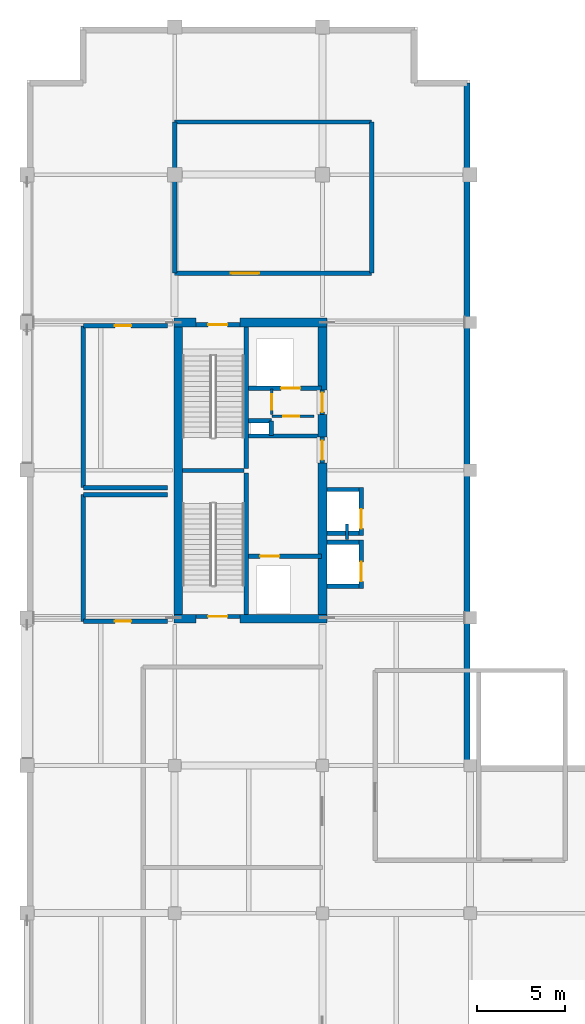
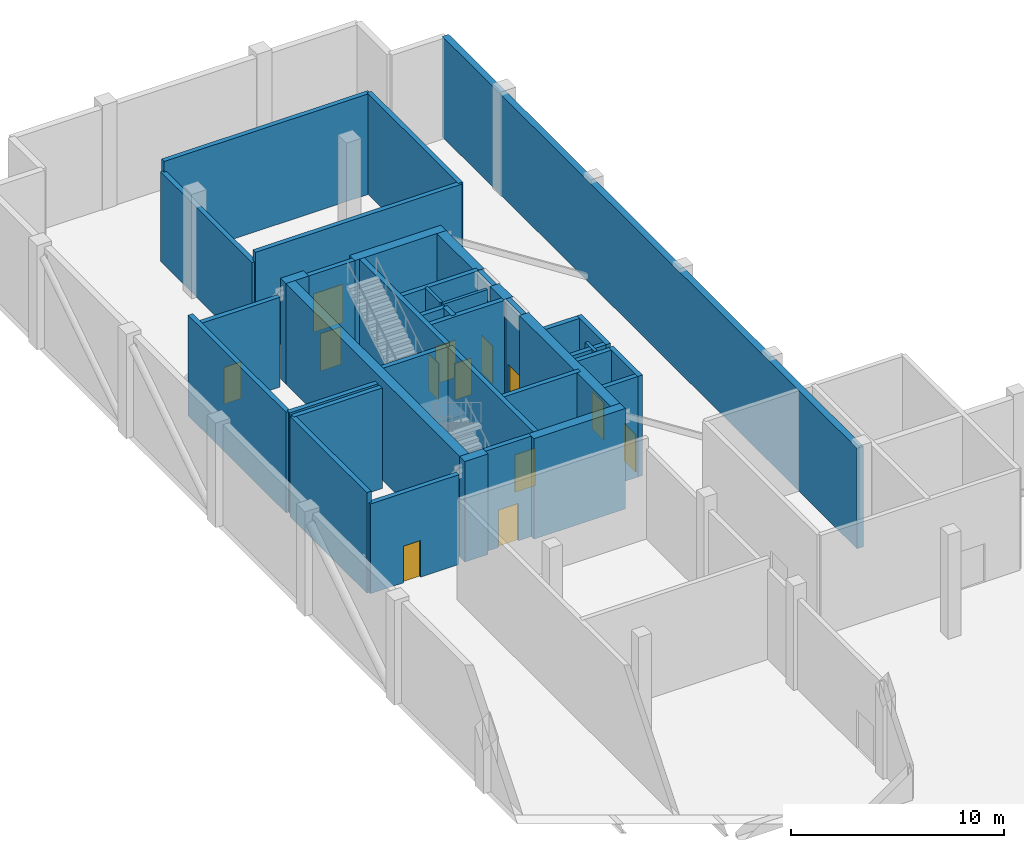
# One storey, part 11 of 14: 40 walls, 13 doors, 13 openings.
"""IFC4 building model written with IfcOpenShell, lengths in metres."""

from ifc_helpers import new_model, si_unit, direction, frame, frame_2d, origin, place, context, subcontext, project, spatial, rectangle, extrude, material, layer, layer_set, type_object, element, fill, save


model = new_model("IFC4")

# Units and contexts
model_context = context("Model", 3, precision=1e-05, world=origin(), true_north=direction((0.0, 1.0)))
body_context = subcontext(model_context, "Body", "Model", "MODEL_VIEW")
ifc_project = project(units=[si_unit("LENGTHUNIT", "METRE"), si_unit("AREAUNIT", "SQUARE_METRE"), si_unit("VOLUMEUNIT", "CUBIC_METRE"), si_unit("PLANEANGLEUNIT", "RADIAN"), si_unit("MASSUNIT", "GRAM", prefix="KILO")], contexts=[model_context])

# Site, building, storey
site_placement = place(None, origin())
site = spatial("IfcSite", under=ifc_project, at=site_placement, CompositionType="ELEMENT")
building_placement = place(site_placement, origin())
building = spatial("IfcBuilding", under=site, at=building_placement, Name="Koriwani Terraces Tower", CompositionType="ELEMENT")
storey_placement = place(building_placement, frame((0.0, 0.0, 294.800048828125)))
storey = spatial("IfcBuildingStorey", under=building, at=storey_placement, Name="L73", CompositionType="ELEMENT", Elevation=294.800048828125)

# Walls
ifc_material_1 = material(Name="Concrete C50/60", Category="concrete")
ifc_layer_1 = layer(ifc_material_1, 0.5, Name="Concrete C50/60")
ifc_layer_set_1 = layer_set([ifc_layer_1], Name="Concrete C50/60")
wall_type_1 = type_object("IfcWallType", Name="WALL_CORE_RC_500", PredefinedType="SHEAR", material=ifc_layer_set_1)
wall_1_placement = place(storey_placement, frame((16.75, 41.949951171875, 0.0), z_axis=(0.0, 0.0, 1.0), x_axis=(1.0, 0.0, 0.0)))
element("IfcWall", 1, at=wall_1_placement, inside=storey, type_object=wall_type_1, Name="L73 West Split Core Shear Wall S1", PredefinedType="SHEAR", context=body_context, shape_type="SweptSolid", body=[
    extrude(rectangle(XDim=1.25, YDim=0.5, at=frame_2d((0.625, 0.0))), origin(), (0.0, 0.0, 1.0), 5.77001953125),
])
wall_2_placement = place(storey_placement, frame((20.5, 41.949951171875, 0.0), z_axis=(0.0, 0.0, 1.0), x_axis=(1.0, 0.0, 0.0)))
element("IfcWall", 2, at=wall_2_placement, inside=storey, type_object=wall_type_1, Name="L73 West Split Core Shear Wall S2", PredefinedType="SHEAR", context=body_context, shape_type="SweptSolid", body=[
    extrude(rectangle(XDim=4.949951171875, YDim=0.5, at=frame_2d((2.47509765625, 0.0))), origin(), (0.0, 0.0, 1.0), 5.77001953125),
])
wall_3_placement = place(storey_placement, frame((16.75, 58.800048828125, 0.0), z_axis=(0.0, 0.0, 1.0), x_axis=(1.0, 0.0, 0.0)))
element("IfcWall", 3, at=wall_3_placement, inside=storey, type_object=wall_type_1, Name="L73 West Split Core Shear Wall N1", PredefinedType="SHEAR", context=body_context, shape_type="SweptSolid", body=[
    extrude(rectangle(XDim=1.25, YDim=0.5, at=frame_2d((0.625, 0.0))), origin(), (0.0, 0.0, 1.0), 5.77001953125),
])
wall_4_placement = place(storey_placement, frame((20.5, 58.800048828125, 0.0), z_axis=(0.0, 0.0, 1.0), x_axis=(1.0, 0.0, 0.0)))
element("IfcWall", 4, at=wall_4_placement, inside=storey, type_object=wall_type_1, Name="L73 West Split Core Shear Wall N2", PredefinedType="SHEAR", context=body_context, shape_type="SweptSolid", body=[
    extrude(rectangle(XDim=4.949951171875, YDim=0.5, at=frame_2d((2.47509765625, 0.0))), origin(), (0.0, 0.0, 1.0), 5.77001953125),
])
wall_5_placement = place(storey_placement, frame((17.0, 42.199951171875, 0.0), z_axis=(0.0, 0.0, 1.0), x_axis=(0.0, 1.0, 0.0)))
element("IfcWall", 5, at=wall_5_placement, inside=storey, type_object=wall_type_1, Name="L73 West Split Core Shear Wall W1", PredefinedType="SHEAR", context=body_context, shape_type="SweptSolid", body=[
    extrude(rectangle(XDim=16.35009765625, YDim=0.5, at=frame_2d((8.175048828125, 0.0))), origin(), (0.0, 0.0, 1.0), 5.77001953125),
])
wall_6_placement = place(storey_placement, frame((25.199951171875, 42.199951171875, 0.0), z_axis=(0.0, 0.0, 1.0), x_axis=(0.0, 1.0, 0.0)))
element("IfcWall", 6, at=wall_6_placement, inside=storey, type_object=wall_type_1, Name="L73 West Split Core Shear Wall E1", PredefinedType="SHEAR", context=body_context, shape_type="SweptSolid", body=[
    extrude(rectangle(XDim=8.60009765625, YDim=0.5, at=frame_2d((4.300048828125, 0.0))), origin(), (0.0, 0.0, 1.0), 5.77001953125),
])
wall_7_placement = place(storey_placement, frame((25.199951171875, 52.280029296875, 0.0), z_axis=(0.0, 0.0, 1.0), x_axis=(0.0, 1.0, 0.0)))
element("IfcWall", 7, at=wall_7_placement, inside=storey, type_object=wall_type_1, Name="L73 West Split Core Shear Wall E2", PredefinedType="SHEAR", context=body_context, shape_type="SweptSolid", body=[
    extrude(rectangle(XDim=1.27001953125, YDim=0.5, at=frame_2d((0.635009765625, 0.0))), origin(), (0.0, 0.0, 1.0), 5.77001953125),
])
wall_8_placement = place(storey_placement, frame((25.199951171875, 54.949951171875, 0.0), z_axis=(0.0, 0.0, 1.0), x_axis=(0.0, 1.0, 0.0)))
element("IfcWall", 8, at=wall_8_placement, inside=storey, type_object=wall_type_1, Name="L73 West Split Core Shear Wall E3", PredefinedType="SHEAR", context=body_context, shape_type="SweptSolid", body=[
    extrude(rectangle(XDim=3.60009765625, YDim=0.5, at=frame_2d((1.800048828125, 0.0))), origin(), (0.0, 0.0, 1.0), 5.77001953125),
])
ifc_layer_2 = layer(ifc_material_1, 0.35009765625, Name="Concrete C50/60")
ifc_layer_set_2 = layer_set([ifc_layer_2], Name="Concrete C50/60")
wall_type_2 = type_object("IfcWallType", Name="WALL_EXT_BRUTALIST_350", PredefinedType="STANDARD", material=ifc_layer_set_2)
wall_9_placement = place(storey_placement, frame((33.425048828125, 72.425048828125, 0.0), z_axis=(0.0, 0.0, 1.0), x_axis=(0.0, -1.0, 0.0)))
element("IfcWall", 9, at=wall_9_placement, inside=storey, type_object=wall_type_2, Name="L73 Fair-Faced Brutalist Exterior Wall (NW_IN)", PredefinedType="STANDARD", context=body_context, shape_type="SweptSolid", body=[
    extrude(rectangle(XDim=39.0, YDim=0.35009765625, at=frame_2d((19.5, 0.0))), origin(), (0.0, 0.0, 1.0), 5.77001953125),
])
ifc_material_2 = material(Name="Concrete C40/50", Category="concrete")
ifc_layer_3 = layer(ifc_material_2, 0.25, Name="Concrete C40/50")
ifc_layer_set_3 = layer_set([ifc_layer_3], Name="Concrete C40/50")
wall_type_3 = type_object("IfcWallType", Name="WALL_SHAFT_RATED_250", PredefinedType="SOLIDWALL", material=ifc_layer_set_3)
for number, where, z_axis, x_axis, name in (
    (10, (20.875, 42.199951171875, 0.0), (0.0, 0.0, 1.0), (0.0, 1.0, 0.0), "L73 West Split Core Web Wall MID1"),
    (11, (20.875, 50.5, 0.0), (0.0, 0.0, 1.0), (0.0, 1.0, 0.0), "L73 West Split Core Web Wall MID2"),
):
    element("IfcWall", number, at=place(storey_placement, frame(where, z_axis=z_axis, x_axis=x_axis)), inside=storey, type_object=wall_type_3, Name=name, PredefinedType="SOLIDWALL", context=body_context, shape_type="SweptSolid", body=[
        extrude(rectangle(XDim=8.050048828125, YDim=0.25, at=frame_2d((4.02490234375, 0.0))), origin(), (0.0, 0.0, 1.0), 5.77001953125),
    ])
wall_10_placement = place(storey_placement, frame((17.25, 50.375, 0.0), z_axis=(0.0, 0.0, 1.0), x_axis=(1.0, 0.0, 0.0)))
element("IfcWall", 12, at=wall_10_placement, inside=storey, type_object=wall_type_3, Name="L73 West Split Core Stair Dividing Wall", PredefinedType="SOLIDWALL", context=body_context, shape_type="SweptSolid", body=[
    extrude(rectangle(XDim=3.5, YDim=0.25, at=frame_2d((1.75, 0.0))), origin(), (0.0, 0.0, 1.0), 5.77001953125),
])

# Wall, opening, door
wall_11_placement = place(storey_placement, frame((18.0, 42.074951171875, 0.0), z_axis=(0.0, 0.0, 1.0), x_axis=(1.0, 0.0, 0.0)))
wall_11 = element("IfcWall", 13, at=wall_11_placement, inside=storey, type_object=wall_type_3, Name="L73 Interior Wall WIN-CW-L73-STS", PredefinedType="SOLIDWALL", context=body_context, shape_type="SweptSolid", body=[
    extrude(rectangle(XDim=2.5, YDim=0.25, at=frame_2d((1.25, 0.0))), origin(), (0.0, 0.0, 1.0), 5.77001953125),
])
opening_1_placement = place(wall_11_placement, frame((0.699951171875, 0.0, 0.0)))
opening_1 = element("IfcOpeningElement", 14, at=opening_1_placement, cuts=wall_11, Name="Opening D-03", PredefinedType="OPENING", context=body_context, shape_type="SweptSolid", body=[
    extrude(rectangle(XDim=1.10009765625, YDim=2.14990234375, at=frame_2d((0.550048828125, 1.074951171875))), frame((0.0, 0.135009765625, 0.0), z_axis=(0.0, -1.0, 0.0), x_axis=(1.0, 0.0, 0.0)), (0.0, 0.0, 1.0), 0.27001953125),
])
ifc_material_3 = material(Name="Steel ASTM A572 Grade 50", Category="steel")
door_type_1 = type_object("IfcDoorType", Name="DOOR_STAIR_FIRE_1100X2150", OperationType="NOTDEFINED", PredefinedType="DOOR", material=ifc_material_3)
door_1_placement = place(opening_1_placement, origin())
door_1 = element("IfcDoor", 15, at=door_1_placement, inside=storey, type_object=door_type_1, Name="L73 Exit Stair ST-W1 Door", OperationType="SINGLE_SWING_LEFT", OverallHeight=2.14990234375, OverallWidth=1.10009765625, PredefinedType="DOOR", context=body_context, shape_type="SweptSolid", body=[
    extrude(rectangle(XDim=1.10009765625, YDim=2.14990234375, at=frame_2d((0.550048828125, 1.074951171875))), frame((0.0, 0.02490234375, 0.0), z_axis=(0.0, -1.0, 0.0), x_axis=(1.0, 0.0, 0.0)), (0.0, 0.0, 1.0), 0.050048828125),
])
fill(opening_1, door_1)

wall_12_placement = place(storey_placement, frame((18.0, 58.675048828125, 0.0), z_axis=(0.0, 0.0, 1.0), x_axis=(1.0, 0.0, 0.0)))
wall_12 = element("IfcWall", 16, at=wall_12_placement, inside=storey, type_object=wall_type_3, Name="L73 Interior Wall WIN-CW-L73-STN", PredefinedType="SOLIDWALL", context=body_context, shape_type="SweptSolid", body=[
    extrude(rectangle(XDim=2.5, YDim=0.25, at=frame_2d((1.25, 0.0))), origin(), (0.0, 0.0, 1.0), 5.77001953125),
])
opening_2_placement = place(wall_12_placement, frame((0.699951171875, 0.0, 0.0)))
opening_2 = element("IfcOpeningElement", 17, at=opening_2_placement, cuts=wall_12, Name="Opening D-03", PredefinedType="OPENING", context=body_context, shape_type="SweptSolid", body=[
    extrude(rectangle(XDim=1.10009765625, YDim=2.14990234375, at=frame_2d((0.550048828125, 1.074951171875))), frame((0.0, 0.135009765625, 0.0), z_axis=(0.0, -1.0, 0.0), x_axis=(1.0, 0.0, 0.0)), (0.0, 0.0, 1.0), 0.27001953125),
])
door_2_placement = place(opening_2_placement, origin())
door_2 = element("IfcDoor", 18, at=door_2_placement, inside=storey, type_object=door_type_1, Name="L73 Exit Stair ST-W2 Door", OperationType="SINGLE_SWING_RIGHT", OverallHeight=2.14990234375, OverallWidth=1.10009765625, PredefinedType="DOOR", context=body_context, shape_type="SweptSolid", body=[
    extrude(rectangle(XDim=1.10009765625, YDim=2.14990234375, at=frame_2d((0.550048828125, 1.074951171875))), frame((0.0, 0.02490234375, 0.0), z_axis=(0.0, -1.0, 0.0), x_axis=(1.0, 0.0, 0.0)), (0.0, 0.0, 1.0), 0.050048828125),
])
fill(opening_2, door_2)

wall_13_placement = place(storey_placement, frame((21.0, 45.5, 0.0), z_axis=(0.0, 0.0, 1.0), x_axis=(1.0, 0.0, 0.0)))
wall_13 = element("IfcWall", 19, at=wall_13_placement, inside=storey, type_object=wall_type_3, Name="L73 Interior Wall WIN-CW-L73-FE", PredefinedType="SOLIDWALL", context=body_context, shape_type="SweptSolid", body=[
    extrude(rectangle(XDim=4.14990234375, YDim=0.25, at=frame_2d((2.074951171875, 0.0))), origin(), (0.0, 0.0, 1.0), 5.77001953125),
])
opening_3_placement = place(wall_13_placement, frame((0.64990234375, 0.0, 0.0)))
opening_3 = element("IfcOpeningElement", 20, at=opening_3_placement, cuts=wall_13, Name="Opening LD-01", PredefinedType="OPENING", context=body_context, shape_type="SweptSolid", body=[
    extrude(rectangle(XDim=1.10009765625, YDim=2.14990234375, at=frame_2d((0.550048828125, 1.074951171875))), frame((0.0, 0.135009765625, 0.0), z_axis=(0.0, -1.0, 0.0), x_axis=(1.0, 0.0, 0.0)), (0.0, 0.0, 1.0), 0.27001953125),
])
door_type_2 = type_object("IfcDoorType", Name="DOOR_LIFT_LANDING_1100X2200", OperationType="NOTDEFINED", PredefinedType="DOOR", material=ifc_material_3)
door_3_placement = place(opening_3_placement, origin())
door_3 = element("IfcDoor", 21, at=door_3_placement, inside=storey, type_object=door_type_2, Name="L73 Firefighting Lift FE-01 Landing Door", OperationType="SLIDING_TO_LEFT", OverallHeight=2.14990234375, OverallWidth=1.10009765625, PredefinedType="DOOR", context=body_context, shape_type="SweptSolid", body=[
    extrude(rectangle(XDim=1.10009765625, YDim=2.14990234375, at=frame_2d((0.550048828125, 1.074951171875))), frame((0.0, 0.02490234375, 0.0), z_axis=(0.0, -1.0, 0.0), x_axis=(1.0, 0.0, 0.0)), (0.0, 0.0, 1.0), 0.050048828125),
])
fill(opening_3, door_3)

wall_14_placement = place(storey_placement, frame((25.199951171875, 50.800048828125, 0.0), z_axis=(0.0, 0.0, 1.0), x_axis=(0.0, 1.0, 0.0)))
wall_14 = element("IfcWall", 22, at=wall_14_placement, inside=storey, type_object=wall_type_3, Name="L73 Interior Wall WIN-CW-L73-EP", PredefinedType="SOLIDWALL", context=body_context, shape_type="SweptSolid", body=[
    extrude(rectangle(XDim=1.47998046875, YDim=0.25, at=frame_2d((0.739990234375, 0.0))), origin(), (0.0, 0.0, 1.0), 5.77001953125),
])
opening_4_placement = place(wall_14_placement, frame((0.179931640625, 0.0, 0.0)))
opening_4 = element("IfcOpeningElement", 23, at=opening_4_placement, cuts=wall_14, Name="Opening D-03", PredefinedType="OPENING", context=body_context, shape_type="SweptSolid", body=[
    extrude(rectangle(XDim=1.10009765625, YDim=2.14990234375, at=frame_2d((0.550048828125, 1.074951171875))), frame((0.0, 0.135009765625, 0.0), z_axis=(0.0, -1.0, 0.0), x_axis=(1.0, 0.0, 0.0)), (0.0, 0.0, 1.0), 0.27001953125),
])
door_4_placement = place(opening_4_placement, origin())
door_4 = element("IfcDoor", 24, at=door_4_placement, inside=storey, type_object=door_type_1, Name="L73 West Firefighting Lobby Door", OperationType="SINGLE_SWING_LEFT", OverallHeight=2.14990234375, OverallWidth=1.10009765625, PredefinedType="DOOR", context=body_context, shape_type="SweptSolid", body=[
    extrude(rectangle(XDim=1.10009765625, YDim=2.14990234375, at=frame_2d((0.550048828125, 1.074951171875))), frame((0.0, 0.02490234375, 0.0), z_axis=(0.0, -1.0, 0.0), x_axis=(1.0, 0.0, 0.0)), (0.0, 0.0, 1.0), 0.050048828125),
])
fill(opening_4, door_4)

# Wall
wall_15_placement = place(storey_placement, frame((21.0, 52.340087890625, 0.0), z_axis=(0.0, 0.0, 1.0), x_axis=(1.0, 0.0, 0.0)))
element("IfcWall", 25, at=wall_15_placement, inside=storey, type_object=wall_type_3, Name="L73 Interior Wall WIN-CW-L73-FFN", PredefinedType="SOLIDWALL", context=body_context, shape_type="SweptSolid", body=[
    extrude(rectangle(XDim=3.949951171875, YDim=0.25, at=frame_2d((1.97509765625, 0.0))), origin(), (0.0, 0.0, 1.0), 5.77001953125),
])

# Wall, opening, door
wall_16_placement = place(storey_placement, frame((21.0, 55.050048828125, 0.0), z_axis=(0.0, 0.0, 1.0), x_axis=(1.0, 0.0, 0.0)))
wall_16 = element("IfcWall", 26, at=wall_16_placement, inside=storey, type_object=wall_type_3, Name="L73 Interior Wall WIN-CW-L73-SE", PredefinedType="SOLIDWALL", context=body_context, shape_type="SweptSolid", body=[
    extrude(rectangle(XDim=4.14990234375, YDim=0.25, at=frame_2d((2.074951171875, 0.0))), origin(), (0.0, 0.0, 1.0), 5.77001953125),
])
opening_5_placement = place(wall_16_placement, frame((1.85009765625, 0.0, 0.0)))
opening_5 = element("IfcOpeningElement", 27, at=opening_5_placement, cuts=wall_16, Name="Opening LD-01", PredefinedType="OPENING", context=body_context, shape_type="SweptSolid", body=[
    extrude(rectangle(XDim=1.10009765625, YDim=2.14990234375, at=frame_2d((0.550048828125, 1.074951171875))), frame((0.0, 0.135009765625, 0.0), z_axis=(0.0, -1.0, 0.0), x_axis=(1.0, 0.0, 0.0)), (0.0, 0.0, 1.0), 0.27001953125),
])
door_5_placement = place(opening_5_placement, origin())
door_5 = element("IfcDoor", 28, at=door_5_placement, inside=storey, type_object=door_type_2, Name="L73 Goods Lift SE-01 Landing Door", OperationType="SLIDING_TO_LEFT", OverallHeight=2.14990234375, OverallWidth=1.10009765625, PredefinedType="DOOR", context=body_context, shape_type="SweptSolid", body=[
    extrude(rectangle(XDim=1.10009765625, YDim=2.14990234375, at=frame_2d((0.550048828125, 1.074951171875))), frame((0.0, 0.02490234375, 0.0), z_axis=(0.0, -1.0, 0.0), x_axis=(1.0, 0.0, 0.0)), (0.0, 0.0, 1.0), 0.050048828125),
])
fill(opening_5, door_5)

wall_17_placement = place(storey_placement, frame((25.199951171875, 53.550048828125, 0.0), z_axis=(0.0, 0.0, 1.0), x_axis=(0.0, 1.0, 0.0)))
wall_17 = element("IfcWall", 29, at=wall_17_placement, inside=storey, type_object=wall_type_3, Name="L73 Interior Wall WIN-CW-L73-EP2", PredefinedType="SOLIDWALL", context=body_context, shape_type="SweptSolid", body=[
    extrude(rectangle(XDim=1.39990234375, YDim=0.25, at=frame_2d((0.699951171875, 0.0))), origin(), (0.0, 0.0, 1.0), 5.77001953125),
])
opening_6_placement = place(wall_17_placement, frame((0.14990234375, 0.0, 0.0)))
opening_6 = element("IfcOpeningElement", 30, at=opening_6_placement, cuts=wall_17, Name="Opening D-03", PredefinedType="OPENING", context=body_context, shape_type="SweptSolid", body=[
    extrude(rectangle(XDim=1.10009765625, YDim=2.14990234375, at=frame_2d((0.550048828125, 1.074951171875))), frame((0.0, 0.135009765625, 0.0), z_axis=(0.0, -1.0, 0.0), x_axis=(1.0, 0.0, 0.0)), (0.0, 0.0, 1.0), 0.27001953125),
])
door_6_placement = place(opening_6_placement, origin())
door_6 = element("IfcDoor", 31, at=door_6_placement, inside=storey, type_object=door_type_1, Name="L73 West Goods Lift Lobby Door", OperationType="SINGLE_SWING_RIGHT", OverallHeight=2.14990234375, OverallWidth=1.10009765625, PredefinedType="DOOR", context=body_context, shape_type="SweptSolid", body=[
    extrude(rectangle(XDim=1.10009765625, YDim=2.14990234375, at=frame_2d((0.550048828125, 1.074951171875))), frame((0.0, 0.02490234375, 0.0), z_axis=(0.0, -1.0, 0.0), x_axis=(1.0, 0.0, 0.0)), (0.0, 0.0, 1.0), 0.050048828125),
])
fill(opening_6, door_6)

# Walls
wall_18_placement = place(storey_placement, frame((21.0, 53.199951171875, 0.0), z_axis=(0.0, 0.0, 1.0), x_axis=(1.0, 0.0, 0.0)))
element("IfcWall", 32, at=wall_18_placement, inside=storey, type_object=wall_type_3, Name="L73 Interior Wall WIN-CW-L73-RS1", PredefinedType="SOLIDWALL", context=body_context, shape_type="SweptSolid", body=[
    extrude(rectangle(XDim=1.300048828125, YDim=0.25, at=frame_2d((0.64990234375, 0.0))), origin(), (0.0, 0.0, 1.0), 5.77001953125),
])
wall_19_placement = place(storey_placement, frame((22.300048828125, 52.360107421875, 0.0), z_axis=(0.0, 0.0, 1.0), x_axis=(0.0, 1.0, 0.0)))
element("IfcWall", 33, at=wall_19_placement, inside=storey, type_object=wall_type_3, Name="L73 Interior Wall WIN-CW-L73-RS2", PredefinedType="SOLIDWALL", context=body_context, shape_type="SweptSolid", body=[
    extrude(rectangle(XDim=0.83984375, YDim=0.25, at=frame_2d((0.419921875, 0.0))), origin(), (0.0, 0.0, 1.0), 5.77001953125),
])

# Wall, opening, door
wall_20_placement = place(storey_placement, frame((27.39990234375, 43.675048828125, 0.0), z_axis=(0.0, 0.0, 1.0), x_axis=(0.0, 1.0, 0.0)))
wall_20 = element("IfcWall", 34, at=wall_20_placement, inside=storey, type_object=wall_type_3, Name="L73 Interior Wall WIN-LF-PE-H1-L73-F", PredefinedType="SOLIDWALL", context=body_context, shape_type="SweptSolid", body=[
    extrude(rectangle(XDim=2.75, YDim=0.25, at=frame_2d((1.375, 0.0))), origin(), (0.0, 0.0, 1.0), 5.77001953125),
])
opening_7_placement = place(wall_20_placement, frame((0.39990234375, 0.0, 0.0)))
opening_7 = element("IfcOpeningElement", 35, at=opening_7_placement, cuts=wall_20, Name="Opening LD-01", PredefinedType="OPENING", context=body_context, shape_type="SweptSolid", body=[
    extrude(rectangle(XDim=1.10009765625, YDim=2.14990234375, at=frame_2d((0.550048828125, 1.074951171875))), frame((0.0, 0.135009765625, 0.0), z_axis=(0.0, -1.0, 0.0), x_axis=(1.0, 0.0, 0.0)), (0.0, 0.0, 1.0), 0.27001953125),
])
door_7_placement = place(opening_7_placement, origin())
door_7 = element("IfcDoor", 36, at=door_7_placement, inside=storey, type_object=door_type_2, Name="L73 Passenger Lift PE-H1 Landing Door", OperationType="SLIDING_TO_LEFT", OverallHeight=2.14990234375, OverallWidth=1.10009765625, PredefinedType="DOOR", context=body_context, shape_type="SweptSolid", body=[
    extrude(rectangle(XDim=1.10009765625, YDim=2.14990234375, at=frame_2d((0.550048828125, 1.074951171875))), frame((0.0, 0.02490234375, 0.0), z_axis=(0.0, -1.0, 0.0), x_axis=(1.0, 0.0, 0.0)), (0.0, 0.0, 1.0), 0.050048828125),
])
fill(opening_7, door_7)

# Walls
for number, where, z_axis, x_axis, name in (
    (37, (25.449951171875, 43.800048828125, 0.0), (0.0, 0.0, 1.0), (1.0, 0.0, 0.0), "L73 Interior Wall WIN-LF-PE-H1-L73-S"),
    (38, (25.449951171875, 46.300048828125, 0.0), (0.0, 0.0, 1.0), (1.0, 0.0, 0.0), "L73 Interior Wall WIN-LF-PE-H1-L73-N"),
):
    element("IfcWall", number, at=place(storey_placement, frame(where, z_axis=z_axis, x_axis=x_axis)), inside=storey, type_object=wall_type_3, Name=name, PredefinedType="SOLIDWALL", context=body_context, shape_type="SweptSolid", body=[
        extrude(rectangle(XDim=1.824951171875, YDim=0.25, at=frame_2d((0.91259765625, 0.0))), origin(), (0.0, 0.0, 1.0), 5.77001953125),
    ])

# Wall, opening, door
wall_21_placement = place(storey_placement, frame((27.39990234375, 46.675048828125, 0.0), z_axis=(0.0, 0.0, 1.0), x_axis=(0.0, 1.0, 0.0)))
wall_21 = element("IfcWall", 39, at=wall_21_placement, inside=storey, type_object=wall_type_3, Name="L73 Interior Wall WIN-LF-PE-H2-L73-F", PredefinedType="SOLIDWALL", context=body_context, shape_type="SweptSolid", body=[
    extrude(rectangle(XDim=2.75, YDim=0.25, at=frame_2d((1.375, 0.0))), origin(), (0.0, 0.0, 1.0), 5.77001953125),
])
opening_8_placement = place(wall_21_placement, frame((0.39990234375, 0.0, 0.0)))
opening_8 = element("IfcOpeningElement", 40, at=opening_8_placement, cuts=wall_21, Name="Opening LD-01", PredefinedType="OPENING", context=body_context, shape_type="SweptSolid", body=[
    extrude(rectangle(XDim=1.10009765625, YDim=2.14990234375, at=frame_2d((0.550048828125, 1.074951171875))), frame((0.0, 0.135009765625, 0.0), z_axis=(0.0, -1.0, 0.0), x_axis=(1.0, 0.0, 0.0)), (0.0, 0.0, 1.0), 0.27001953125),
])
door_8_placement = place(opening_8_placement, origin())
door_8 = element("IfcDoor", 41, at=door_8_placement, inside=storey, type_object=door_type_2, Name="L73 Passenger Lift PE-H2 Landing Door", OperationType="SLIDING_TO_LEFT", OverallHeight=2.14990234375, OverallWidth=1.10009765625, PredefinedType="DOOR", context=body_context, shape_type="SweptSolid", body=[
    extrude(rectangle(XDim=1.10009765625, YDim=2.14990234375, at=frame_2d((0.550048828125, 1.074951171875))), frame((0.0, 0.02490234375, 0.0), z_axis=(0.0, -1.0, 0.0), x_axis=(1.0, 0.0, 0.0)), (0.0, 0.0, 1.0), 0.050048828125),
])
fill(opening_8, door_8)

# Walls
for number, where, z_axis, x_axis, name in (
    (42, (25.449951171875, 46.800048828125, 0.0), (0.0, 0.0, 1.0), (1.0, 0.0, 0.0), "L73 Interior Wall WIN-LF-PE-H2-L73-S"),
    (43, (25.449951171875, 49.300048828125, 0.0), (0.0, 0.0, 1.0), (1.0, 0.0, 0.0), "L73 Interior Wall WIN-LF-PE-H2-L73-N"),
):
    element("IfcWall", number, at=place(storey_placement, frame(where, z_axis=z_axis, x_axis=x_axis)), inside=storey, type_object=wall_type_3, Name=name, PredefinedType="SOLIDWALL", context=body_context, shape_type="SweptSolid", body=[
        extrude(rectangle(XDim=1.824951171875, YDim=0.25, at=frame_2d((0.91259765625, 0.0))), origin(), (0.0, 0.0, 1.0), 5.77001953125),
    ])

# Wall, opening, door
wall_22_placement = place(storey_placement, frame((16.800048828125, 61.60009765625, 0.0), z_axis=(0.0, 0.0, 1.0), x_axis=(1.0, 0.0, 0.0)))
wall_22 = element("IfcWall", 44, at=wall_22_placement, inside=storey, type_object=wall_type_3, Name="L73 Interior Wall WREF-W1-L73", PredefinedType="SOLIDWALL", context=body_context, shape_type="SweptSolid", body=[
    extrude(rectangle(XDim=11.199951171875, YDim=0.25, at=frame_2d((5.60009765625, 0.0))), origin(), (0.0, 0.0, 1.0), 5.77001953125),
])
opening_9_placement = place(wall_22_placement, frame((3.199951171875, 0.0, 0.0)))
opening_9 = element("IfcOpeningElement", 45, at=opening_9_placement, cuts=wall_22, Name="Opening D-08", PredefinedType="OPENING", context=body_context, shape_type="SweptSolid", body=[
    extrude(rectangle(XDim=1.60009765625, YDim=2.199951171875, at=frame_2d((0.800048828125, 1.10009765625))), frame((0.0, 0.135009765625, 0.0), z_axis=(0.0, -1.0, 0.0), x_axis=(1.0, 0.0, 0.0)), (0.0, 0.0, 1.0), 0.27001953125),
])
door_type_3 = type_object("IfcDoorType", Name="DOOR_PLANT_DOUBLE_1600X2200", OperationType="NOTDEFINED", PredefinedType="DOOR", material=ifc_material_3)
door_9_placement = place(opening_9_placement, origin())
door_9 = element("IfcDoor", 46, at=door_9_placement, inside=storey, type_object=door_type_3, Name="L73 West Fire Refuge Area Door", OperationType="SINGLE_SWING_LEFT", OverallHeight=2.199951171875, OverallWidth=1.60009765625, PredefinedType="DOOR", context=body_context, shape_type="SweptSolid", body=[
    extrude(rectangle(XDim=1.60009765625, YDim=2.199951171875, at=frame_2d((0.800048828125, 1.10009765625))), frame((0.0, 0.02490234375, 0.0), z_axis=(0.0, -1.0, 0.0), x_axis=(1.0, 0.0, 0.0)), (0.0, 0.0, 1.0), 0.050048828125),
])
fill(opening_9, door_9)

# Walls
wall_23_placement = place(storey_placement, frame((16.800048828125, 70.199951171875, 0.0), z_axis=(0.0, 0.0, 1.0), x_axis=(1.0, 0.0, 0.0)))
element("IfcWall", 47, at=wall_23_placement, inside=storey, type_object=wall_type_3, Name="L73 Interior Wall WREF-W2-L73", PredefinedType="SOLIDWALL", context=body_context, shape_type="SweptSolid", body=[
    extrude(rectangle(XDim=11.199951171875, YDim=0.25, at=frame_2d((5.60009765625, 0.0))), origin(), (0.0, 0.0, 1.0), 5.77001953125),
])
wall_24_placement = place(storey_placement, frame((16.800048828125, 61.60009765625, 0.0), z_axis=(0.0, 0.0, 1.0), x_axis=(0.0, 1.0, 0.0)))
element("IfcWall", 48, at=wall_24_placement, inside=storey, type_object=wall_type_3, Name="L73 Interior Wall WREF-W3-L73", PredefinedType="SOLIDWALL", context=body_context, shape_type="SweptSolid", body=[
    extrude(rectangle(XDim=8.599853515625, YDim=0.25, at=frame_2d((4.2998046875, 0.0))), origin(), (0.0, 0.0, 1.0), 5.15283203125),
])
wall_25_placement = place(storey_placement, frame((28.0, 61.60009765625, 0.0), z_axis=(0.0, 0.0, 1.0), x_axis=(0.0, 1.0, 0.0)))
element("IfcWall", 49, at=wall_25_placement, inside=storey, type_object=wall_type_3, Name="L73 Interior Wall WREF-W4-L73", PredefinedType="SOLIDWALL", context=body_context, shape_type="SweptSolid", body=[
    extrude(rectangle(XDim=8.599853515625, YDim=0.25, at=frame_2d((4.2998046875, 0.0))), origin(), (0.0, 0.0, 1.0), 5.77001953125),
])

# Wall, opening, door
wall_26_placement = place(storey_placement, frame((11.60009765625, 41.800048828125, 0.0), z_axis=(0.0, 0.0, 1.0), x_axis=(1.0, 0.0, 0.0)))
wall_26 = element("IfcWall", 50, at=wall_26_placement, inside=storey, type_object=wall_type_3, Name="L73 Interior Wall WPL-RECW1-L73", PredefinedType="SOLIDWALL", context=body_context, shape_type="SweptSolid", body=[
    extrude(rectangle(XDim=4.7998046875, YDim=0.25, at=frame_2d((2.39990234375, 0.0))), origin(), (0.0, 0.0, 1.0), 5.15283203125),
])
opening_10_placement = place(wall_26_placement, frame((1.800048828125, 0.0, 0.0)))
opening_10 = element("IfcOpeningElement", 51, at=opening_10_placement, cuts=wall_26, Name="Opening D-06", PredefinedType="OPENING", context=body_context, shape_type="SweptSolid", body=[
    extrude(rectangle(XDim=0.919921875, YDim=2.10009765625, at=frame_2d((0.4599609375, 1.050048828125))), frame((0.0, 0.135009765625, 0.0), z_axis=(0.0, -1.0, 0.0), x_axis=(1.0, 0.0, 0.0)), (0.0, 0.0, 1.0), 0.27001953125),
])
ifc_material_4 = material(Name="Architectural Oak Fire Door", Category="wood")
door_type_4 = type_object("IfcDoorType", Name="DOOR_ROOM_INT_920X2100", OperationType="NOTDEFINED", PredefinedType="DOOR", material=ifc_material_4)
door_10_placement = place(opening_10_placement, origin())
door_10 = element("IfcDoor", 52, at=door_10_placement, inside=storey, type_object=door_type_4, Name="L73 Reclaimed West Telemetry Room Door", OperationType="SINGLE_SWING_LEFT", OverallHeight=2.10009765625, OverallWidth=0.919921875, PredefinedType="DOOR", context=body_context, shape_type="SweptSolid", body=[
    extrude(rectangle(XDim=0.919921875, YDim=2.10009765625, at=frame_2d((0.4599609375, 1.050048828125))), frame((0.0, 0.02490234375, 0.0), z_axis=(0.0, -1.0, 0.0), x_axis=(1.0, 0.0, 0.0)), (0.0, 0.0, 1.0), 0.050048828125),
])
fill(opening_10, door_10)

# Walls
wall_27_placement = place(storey_placement, frame((11.60009765625, 41.800048828125, 0.0), z_axis=(0.0, 0.0, 1.0), x_axis=(0.0, 1.0, 0.0)))
element("IfcWall", 53, at=wall_27_placement, inside=storey, type_object=wall_type_3, Name="L73 Interior Wall WPL-RECW2-L73", PredefinedType="SOLIDWALL", context=body_context, shape_type="SweptSolid", body=[
    extrude(rectangle(XDim=7.199951171875, YDim=0.25, at=frame_2d((3.60009765625, 0.0))), origin(), (0.0, 0.0, 1.0), 5.77001953125),
])
wall_28_placement = place(storey_placement, frame((11.60009765625, 49.0, 0.0), z_axis=(0.0, 0.0, 1.0), x_axis=(1.0, 0.0, 0.0)))
element("IfcWall", 54, at=wall_28_placement, inside=storey, type_object=wall_type_3, Name="L73 Interior Wall WPL-RECW3-L73", PredefinedType="SOLIDWALL", context=body_context, shape_type="SweptSolid", body=[
    extrude(rectangle(XDim=4.7998046875, YDim=0.25, at=frame_2d((2.39990234375, 0.0))), origin(), (0.0, 0.0, 1.0), 5.77001953125),
])

# Wall, opening, door
wall_29_placement = place(storey_placement, frame((11.60009765625, 58.60009765625, 0.0), z_axis=(0.0, 0.0, 1.0), x_axis=(1.0, 0.0, 0.0)))
wall_29 = element("IfcWall", 55, at=wall_29_placement, inside=storey, type_object=wall_type_3, Name="L73 Interior Wall WPL-RECMW1-L73", PredefinedType="SOLIDWALL", context=body_context, shape_type="SweptSolid", body=[
    extrude(rectangle(XDim=4.7998046875, YDim=0.25, at=frame_2d((2.39990234375, 0.0))), origin(), (0.0, 0.0, 1.0), 5.15283203125),
])
opening_11_placement = place(wall_29_placement, frame((1.800048828125, 0.0, 0.0)))
opening_11 = element("IfcOpeningElement", 56, at=opening_11_placement, cuts=wall_29, Name="Opening D-06", PredefinedType="OPENING", context=body_context, shape_type="SweptSolid", body=[
    extrude(rectangle(XDim=0.919921875, YDim=2.10009765625, at=frame_2d((0.4599609375, 1.050048828125))), frame((0.0, 0.135009765625, 0.0), z_axis=(0.0, -1.0, 0.0), x_axis=(1.0, 0.0, 0.0)), (0.0, 0.0, 1.0), 0.27001953125),
])
door_11_placement = place(opening_11_placement, origin())
door_11 = element("IfcDoor", 57, at=door_11_placement, inside=storey, type_object=door_type_4, Name="L73 Upper Reclaimed Controls Door", OperationType="SINGLE_SWING_LEFT", OverallHeight=2.10009765625, OverallWidth=0.919921875, PredefinedType="DOOR", context=body_context, shape_type="SweptSolid", body=[
    extrude(rectangle(XDim=0.919921875, YDim=2.10009765625, at=frame_2d((0.4599609375, 1.050048828125))), frame((0.0, 0.02490234375, 0.0), z_axis=(0.0, -1.0, 0.0), x_axis=(1.0, 0.0, 0.0)), (0.0, 0.0, 1.0), 0.050048828125),
])
fill(opening_11, door_11)

# Walls
wall_30_placement = place(storey_placement, frame((11.60009765625, 49.39990234375, 0.0), z_axis=(0.0, 0.0, 1.0), x_axis=(0.0, 1.0, 0.0)))
element("IfcWall", 58, at=wall_30_placement, inside=storey, type_object=wall_type_3, Name="L73 Interior Wall WPL-RECMW2-L73", PredefinedType="SOLIDWALL", context=body_context, shape_type="SweptSolid", body=[
    extrude(rectangle(XDim=9.2001953125, YDim=0.25, at=frame_2d((4.60009765625, 0.0))), origin(), (0.0, 0.0, 1.0), 5.77001953125),
])
wall_31_placement = place(storey_placement, frame((11.60009765625, 49.39990234375, 0.0), z_axis=(0.0, 0.0, 1.0), x_axis=(1.0, 0.0, 0.0)))
element("IfcWall", 59, at=wall_31_placement, inside=storey, type_object=wall_type_3, Name="L73 Interior Wall WPL-RECMW3-L73", PredefinedType="SOLIDWALL", context=body_context, shape_type="SweptSolid", body=[
    extrude(rectangle(XDim=4.7998046875, YDim=0.25, at=frame_2d((2.39990234375, 0.0))), origin(), (0.0, 0.0, 1.0), 5.77001953125),
])

# Wall, opening, door
ifc_material_5 = material(Name="Fire-Rated Acoustic Gypsum Partition", Category="masonry")
ifc_layer_4 = layer(ifc_material_5, 0.159912109375, Name="Fire-Rated Acoustic Gypsum Partition")
ifc_layer_set_4 = layer_set([ifc_layer_4], Name="Fire-Rated Acoustic Gypsum Partition")
wall_type_4 = type_object("IfcWallType", Name="WALL_SUITE_160", PredefinedType="PARTITIONING", material=ifc_layer_set_4)
wall_32_placement = place(storey_placement, frame((22.320068359375, 53.56005859375, 0.0), z_axis=(0.0, 0.0, 1.0), x_axis=(0.0, 1.0, 0.0)))
wall_32 = element("IfcWall", 60, at=wall_32_placement, inside=storey, type_object=wall_type_4, Name="L73 Interior Wall WIN-CW-L73-SV1A", PredefinedType="PARTITIONING", context=body_context, shape_type="SweptSolid", body=[
    extrude(rectangle(XDim=1.43994140625, YDim=0.159912109375, at=frame_2d((0.719970703125, 0.0))), origin(), (0.0, 0.0, 1.0), 5.77001953125),
])
opening_12_placement = place(wall_32_placement, frame((0.260009765625, 0.0, 0.0)))
opening_12 = element("IfcOpeningElement", 61, at=opening_12_placement, cuts=wall_32, Name="Opening D-07", PredefinedType="OPENING", context=body_context, shape_type="SweptSolid", body=[
    extrude(rectangle(XDim=0.89990234375, YDim=2.10009765625, at=frame_2d((0.449951171875, 1.050048828125))), frame((0.0, 0.08984375, 0.0), z_axis=(0.0, -1.0, 0.0), x_axis=(1.0, 0.0, 0.0)), (0.0, 0.0, 1.0), 0.179931640625),
])
door_type_5 = type_object("IfcDoorType", Name="DOOR_BATH_INT_900X2100", OperationType="NOTDEFINED", PredefinedType="DOOR", material=ifc_material_4)
door_12_placement = place(opening_12_placement, origin())
door_12 = element("IfcDoor", 62, at=door_12_placement, inside=storey, type_object=door_type_5, Name="L73 West Telecom Room Door", OperationType="SINGLE_SWING_LEFT", OverallHeight=2.10009765625, OverallWidth=0.89990234375, PredefinedType="DOOR", context=body_context, shape_type="SweptSolid", body=[
    extrude(rectangle(XDim=0.89990234375, YDim=2.10009765625, at=frame_2d((0.449951171875, 1.050048828125))), frame((0.0, 0.02490234375, 0.0), z_axis=(0.0, -1.0, 0.0), x_axis=(1.0, 0.0, 0.0)), (0.0, 0.0, 1.0), 0.050048828125),
])
fill(opening_12, door_12)

wall_33_placement = place(storey_placement, frame((22.320068359375, 53.4599609375, 0.0), z_axis=(0.0, 0.0, 1.0), x_axis=(1.0, 0.0, 0.0)))
wall_33 = element("IfcWall", 63, at=wall_33_placement, inside=storey, type_object=wall_type_4, Name="L73 Interior Wall WIN-CW-L73-SV1B", PredefinedType="PARTITIONING", context=body_context, shape_type="SweptSolid", body=[
    extrude(rectangle(XDim=2.39990234375, YDim=0.159912109375, at=frame_2d((1.199951171875, 0.0))), origin(), (0.0, 0.0, 1.0), 5.77001953125),
])
opening_13_placement = place(wall_33_placement, frame((0.64990234375, 0.0, 0.0)))
opening_13 = element("IfcOpeningElement", 64, at=opening_13_placement, cuts=wall_33, Name="Opening D-07", PredefinedType="OPENING", context=body_context, shape_type="SweptSolid", body=[
    extrude(rectangle(XDim=0.89990234375, YDim=2.10009765625, at=frame_2d((0.449951171875, 1.050048828125))), frame((0.0, 0.08984375, 0.0), z_axis=(0.0, -1.0, 0.0), x_axis=(1.0, 0.0, 0.0)), (0.0, 0.0, 1.0), 0.179931640625),
])
door_13_placement = place(opening_13_placement, origin())
door_13 = element("IfcDoor", 65, at=door_13_placement, inside=storey, type_object=door_type_5, Name="L73 West Cleaners Closet Door", OperationType="SINGLE_SWING_RIGHT", OverallHeight=2.10009765625, OverallWidth=0.89990234375, PredefinedType="DOOR", context=body_context, shape_type="SweptSolid", body=[
    extrude(rectangle(XDim=0.89990234375, YDim=2.10009765625, at=frame_2d((0.449951171875, 1.050048828125))), frame((0.0, 0.02490234375, 0.0), z_axis=(0.0, -1.0, 0.0), x_axis=(1.0, 0.0, 0.0)), (0.0, 0.0, 1.0), 0.050048828125),
])
fill(opening_13, door_13)

# Wall
wall_34_placement = place(storey_placement, frame((26.60009765625, 46.4599609375, 0.0), z_axis=(0.0, 0.0, 1.0), x_axis=(0.0, 1.0, 0.0)))
element("IfcWall", 66, at=wall_34_placement, inside=storey, type_object=wall_type_4, Name="L73 Interior Wall WIN-LF-PEH12-MID-L73", PredefinedType="PARTITIONING", context=body_context, shape_type="SweptSolid", body=[
    extrude(rectangle(XDim=0.880126953125, YDim=0.159912109375, at=frame_2d((0.43994140625, 0.0))), origin(), (0.0, 0.0, 1.0), 5.77001953125),
])

save(model, "model.ifc")
